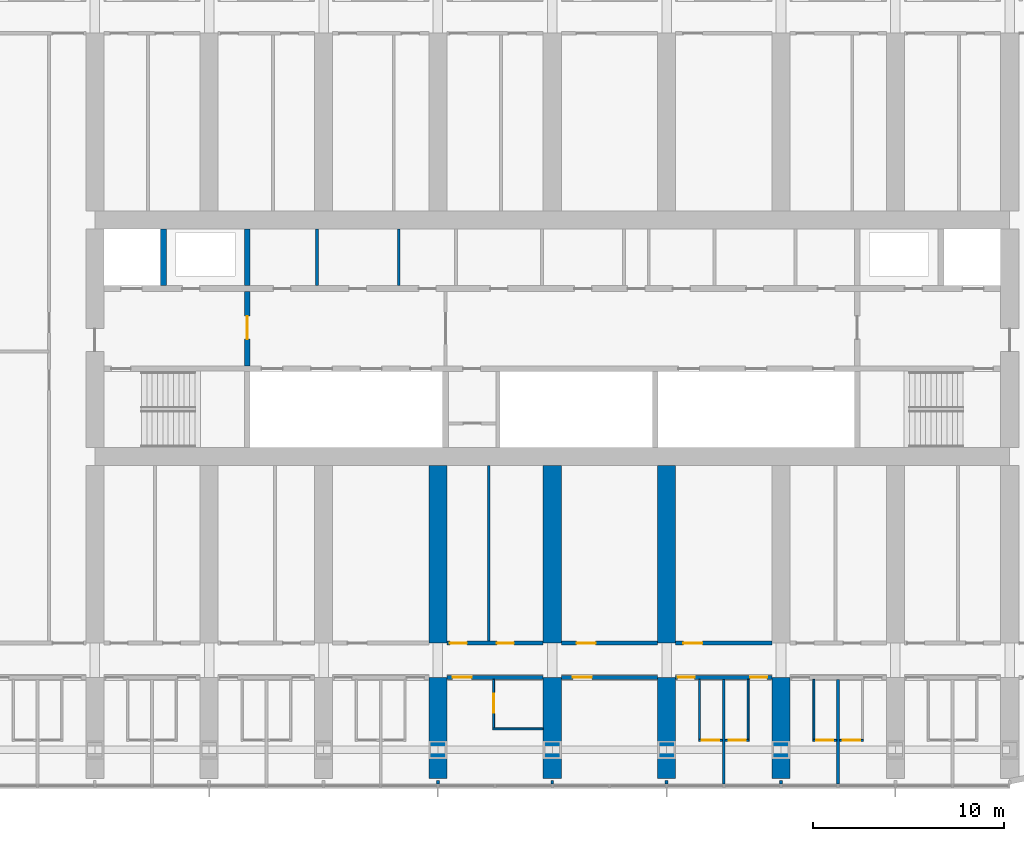
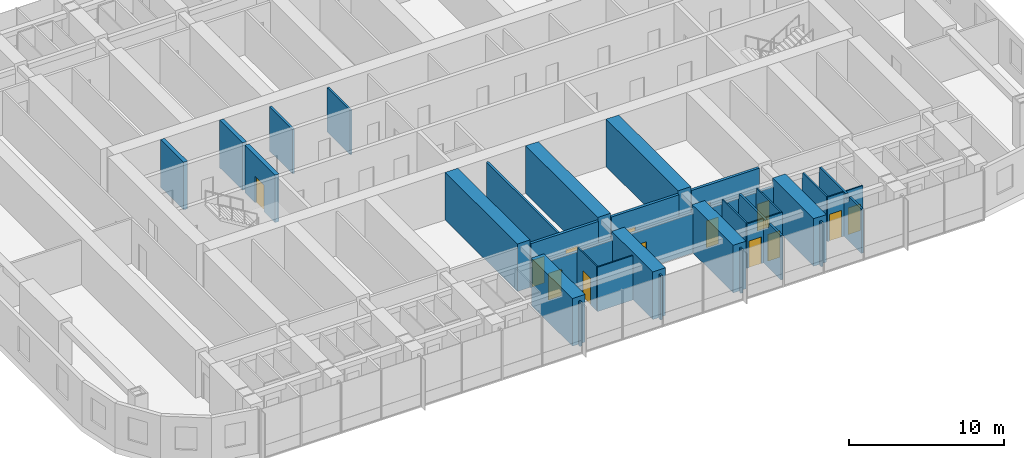
# One storey, part 12 of 26: 34 walls, 14 doors, 14 openings.
"""IFC4 building model written with IfcOpenShell, lengths in metres."""

import ifcopenshell
import ifcopenshell.guid

model = None  # the IFC model being written
_history = None  # IfcOwnerHistory: only IFC2X3 demands one
_inside = {}  # id of a spatial element -> (the spatial element, [elements in it])
_under = {}  # id of a project, library or spatial element -> (it, [spatial elements below it])
_declared = {}  # id of a project -> (the project, [libraries it declares])
_typed = {}  # id of a type object -> (the type object, [elements of that type])
_made_of = {}  # id of a material, layer set ... -> (it, [elements and type objects made of it])


def new_model(schema):
    """Start an empty IFC model of exactly this schema.

    Asked for "IFC4X3", IfcOpenShell would pick the latest addendum, in which some entities
    have other attributes; the version numbers below select the first issue.
    IFC2X3 requires an IfcOwnerHistory on every rooted entity: one is made here for all.
    """
    global model, _history
    if schema == "IFC4X3":
        model = ifcopenshell.file(schema_version=(4, 3, 0, 0))
    else:
        model = ifcopenshell.file(schema=schema)
    _inside.clear()
    _under.clear()
    _declared.clear()
    _typed.clear()
    _made_of.clear()
    _history = None
    if model.schema == "IFC2X3":
        org = make("IfcOrganization", Name="unknown")
        user = make(
            "IfcPersonAndOrganization",
            ThePerson=make("IfcPerson", FamilyName="unknown"),
            TheOrganization=org,
        )
        app = make(
            "IfcApplication",
            ApplicationDeveloper=org,
            Version="unknown",
            ApplicationFullName="unknown",
            ApplicationIdentifier="unknown",
        )
        _history = make(
            "IfcOwnerHistory",
            OwningUser=user,
            OwningApplication=app,
            ChangeAction="ADDED",
            CreationDate=0,
        )
    return model


def make(cls, **values):
    """One entity of the class cls with the attributes given. An attribute that is None is left unset."""
    return model.create_entity(
        cls, **{name: value for name, value in values.items() if value is not None}
    )


def rooted(cls, **values):
    """An entity with a GlobalId (a new one), such as an element, a storey or a relation."""
    return make(cls, GlobalId=ifcopenshell.guid.new(), OwnerHistory=_history, **values)


def si_unit(unit_type, name, prefix=None):
    """IfcSIUnit, for example si_unit("LENGTHUNIT", "METRE", prefix="MILLI")."""
    return make("IfcSIUnit", UnitType=unit_type, Prefix=prefix, Name=name)


def assignment(units):
    """IfcUnitAssignment: the units of a project."""
    return None if units is None else make("IfcUnitAssignment", Units=units)


def point(xyz):
    """IfcCartesianPoint."""
    return None if xyz is None else make("IfcCartesianPoint", Coordinates=xyz)


def direction(xyz):
    """IfcDirection."""
    return None if xyz is None else make("IfcDirection", DirectionRatios=xyz)


def frame(location, z_axis=None, x_axis=None):
    """IfcAxis2Placement3D, a coordinate frame: its origin and axes. An axis left out is left unset."""
    return make(
        "IfcAxis2Placement3D",
        Location=point(location),
        Axis=direction(z_axis),
        RefDirection=direction(x_axis),
    )


def frame_2d(location, x_axis=None):
    """IfcAxis2Placement2D, a coordinate frame in the plane: its origin and x axis."""
    return make(
        "IfcAxis2Placement2D", Location=point(location), RefDirection=direction(x_axis)
    )


def origin():
    """The frame at (0, 0, 0) with its axes left unset."""
    return frame((0.0, 0.0, 0.0))


def place(relative_to, where):
    """IfcLocalPlacement: puts the frame where relative to a parent placement (None: the world)."""
    return make(
        "IfcLocalPlacement", PlacementRelTo=relative_to, RelativePlacement=where
    )


def context(
    kind, dimensions, precision=None, world=None, true_north=None, identifier=None
):
    """IfcGeometricRepresentationContext, for example the 3D "Model" context."""
    return make(
        "IfcGeometricRepresentationContext",
        ContextIdentifier=identifier,
        ContextType=kind,
        CoordinateSpaceDimension=dimensions,
        Precision=precision,
        WorldCoordinateSystem=world,
        TrueNorth=true_north,
    )


def subcontext(parent, identifier, kind, view, scale=None):
    """IfcGeometricRepresentationSubContext, for example "Body" below "Model"."""
    return make(
        "IfcGeometricRepresentationSubContext",
        ContextIdentifier=identifier,
        ContextType=kind,
        ParentContext=parent,
        TargetScale=scale,
        TargetView=view,
    )


def project(units=None, contexts=None):
    """IfcProject with its units and contexts."""
    return rooted(
        "IfcProject",
        Name="project",
        RepresentationContexts=contexts,
        UnitsInContext=assignment(units),
    )


def spatial(cls, under=None, at=None, **own):
    """A site, building, storey or space (cls), placed at a placement, below another one or the project."""
    s = rooted(cls, ObjectPlacement=at, **own)
    if under is not None:
        _under.setdefault(under.id(), (under, []))[1].append(s)
    return s


def polyline(points):
    """IfcPolyline through the points."""
    return make("IfcPolyline", Points=[point(p) for p in points])


def profile(cls, at=None, kind="AREA", **sizes):
    """A parametric profile (cls). Its sizes go by their IFC names, for example OverallWidth=200.0."""
    return make(cls, ProfileType=kind, Position=at, **sizes)


def rectangle(**sizes):
    """IfcRectangleProfileDef."""
    return profile("IfcRectangleProfileDef", **sizes)


def outline(outer, holes=None, kind="AREA"):
    """IfcArbitraryClosedProfileDef: a profile drawn as a closed curve; with holes, ...WithVoids."""
    if holes is None:
        return make("IfcArbitraryClosedProfileDef", ProfileType=kind, OuterCurve=outer)
    return make(
        "IfcArbitraryProfileDefWithVoids",
        ProfileType=kind,
        OuterCurve=outer,
        InnerCurves=holes,
    )


def extrude(swept, where, along, depth):
    """IfcExtrudedAreaSolid: the profile swept, set in the frame where, extruded along a direction by depth."""
    return make(
        "IfcExtrudedAreaSolid",
        SweptArea=swept,
        Position=where,
        ExtrudedDirection=direction(along),
        Depth=depth,
    )


def shape(context_of_items, identifier, shape_type, items):
    """IfcShapeRepresentation: the items that make up one representation, for example the "Body"."""
    return make(
        "IfcShapeRepresentation",
        ContextOfItems=context_of_items,
        RepresentationIdentifier=identifier,
        RepresentationType=shape_type,
        Items=items,
    )


def material(Name=None, Category=None):
    """IfcMaterial."""
    return make("IfcMaterial", Name=Name, Category=Category)


def layer(
    of_material, thickness, ventilated=None, Name=None, Category=None, Priority=None
):
    """IfcMaterialLayer: one layer of a wall or slab, of a material (None: an air gap)."""
    return make(
        "IfcMaterialLayer",
        Material=of_material,
        LayerThickness=thickness,
        IsVentilated=ventilated,
        Name=Name,
        Category=Category,
        Priority=Priority,
    )


def layer_set(layers, Name=None):
    """IfcMaterialLayerSet."""
    return make("IfcMaterialLayerSet", MaterialLayers=layers, LayerSetName=Name)


def made_of(thing, what):
    """Note that an element or type object is made of a material, layer set ...; save() writes the relation."""
    if what is not None:
        _made_of.setdefault(what.id(), (what, []))[1].append(thing)
    return thing


def type_object(cls, material=None, **own):
    """A type object (cls), such as IfcWallType, which elements share."""
    return made_of(rooted(cls, **own), material)


def element(
    cls,
    number,
    at=None,
    inside=None,
    cuts=None,
    type_object=None,
    material=None,
    context=None,
    identifier="Body",
    shape_type=None,
    held_by="IfcProductDefinitionShape",
    body=None,
    shapes=None,
    **own,
):
    """One element of the class cls, such as IfcWall. Its Tag is "e" and its number.

    at: its placement. inside: the storey or other place that contains it. cuts: it is an
    opening in that element (IfcRelVoidsElement). A single representation is given by context,
    identifier, shape_type and body (its items); several are given by shapes. held_by: the class
    of the entity that holds the representations. save() writes the other relations.
    """
    e = rooted(cls, Tag="e%d" % number, ObjectPlacement=at, **own)
    if body is not None:
        shapes = [shape(context, identifier, shape_type, body)]
    if shapes is not None:
        e.Representation = make(held_by, Representations=shapes)
    if inside is not None:
        _inside.setdefault(inside.id(), (inside, []))[1].append(e)
    if cuts is not None:
        rooted(
            "IfcRelVoidsElement", RelatingBuildingElement=cuts, RelatedOpeningElement=e
        )
    if type_object is not None:
        _typed.setdefault(type_object.id(), (type_object, []))[1].append(e)
    return made_of(e, material)


def fill(opening, filler):
    """IfcRelFillsElement: the door or window that sits in an opening."""
    return rooted(
        "IfcRelFillsElement",
        RelatingOpeningElement=opening,
        RelatedBuildingElement=filler,
    )


def aggregate(whole, parts):
    """IfcRelAggregates: a whole, such as a stair, and the parts it consists of."""
    return rooted("IfcRelAggregates", RelatingObject=whole, RelatedObjects=parts)


def save(model, path):
    """Write the relations noted so far, then the file.

    IfcRelAggregates (storeys below a building ...), IfcRelContainedInSpatialStructure (elements
    in a storey), IfcRelDefinesByType, IfcRelAssociatesMaterial and IfcRelDeclares: one each for
    every whole, place, type object, material and project.
    """
    for whole, parts in _under.values():
        aggregate(whole, parts)
    for where, things in _inside.values():
        rooted(
            "IfcRelContainedInSpatialStructure",
            RelatedElements=things,
            RelatingStructure=where,
        )
    for kind, things in _typed.values():
        rooted("IfcRelDefinesByType", RelatedObjects=things, RelatingType=kind)
    for what, things in _made_of.values():
        rooted("IfcRelAssociatesMaterial", RelatedObjects=things, RelatingMaterial=what)
    for by, libraries in _declared.values():
        rooted("IfcRelDeclares", RelatingContext=by, RelatedDefinitions=libraries)
    model.write(path)


model = new_model("IFC4")

# Units and contexts
model_context = context("Model", 3, precision=1e-05, world=origin(), true_north=direction((0.0, 1.0)))
body_context = subcontext(model_context, "Body", "Model", "MODEL_VIEW")
ifc_project = project(units=[si_unit("LENGTHUNIT", "METRE"), si_unit("AREAUNIT", "SQUARE_METRE"), si_unit("VOLUMEUNIT", "CUBIC_METRE"), si_unit("PLANEANGLEUNIT", "RADIAN"), si_unit("MASSUNIT", "GRAM", prefix="KILO")], contexts=[model_context])

# Site, building, storey
site_placement = place(None, origin())
site = spatial("IfcSite", under=ifc_project, at=site_placement, CompositionType="ELEMENT")
building_placement = place(site_placement, origin())
building = spatial("IfcBuilding", under=site, at=building_placement, Name="Orbita Commons", CompositionType="ELEMENT")
storey_placement = place(building_placement, frame((0.0, 0.0, 114.39990234375)))
storey = spatial("IfcBuildingStorey", under=building, at=storey_placement, Name="L28", CompositionType="ELEMENT", Elevation=114.39990234375)

# Wall, opening, door
ifc_material_1 = material(Name="Concrete C50/60", Category="concrete")
ifc_layer_1 = layer(ifc_material_1, 0.300048828125)
ifc_layer_set_1 = layer_set([ifc_layer_1], Name="Concrete C50/60")
wall_type_1 = type_object("IfcWallType", Name="Core inner wall 300 C50/60", PredefinedType="SHEAR", material=ifc_layer_set_1)
wall_1_placement = place(storey_placement, frame((26.0, 30.550048828125, 0.0), z_axis=(0.0, 0.0, 1.0), x_axis=(0.0, 1.0, 0.0)))
wall_1 = element("IfcWall", 1, at=wall_1_placement, inside=storey, type_object=wall_type_1, Name="Firefighting lobby wall west L28", PredefinedType="SHEAR", context=body_context, shape_type="SweptSolid", body=[
    extrude(rectangle(XDim=3.89990234375, YDim=0.300048828125, at=frame_2d((1.949951171875, 0.0))), origin(), (0.0, 0.0, 1.0), 3.75),
])
opening_1_placement = place(wall_1_placement, frame((1.39990234375, 0.0, 0.0)))
opening_1 = element("IfcOpeningElement", 2, at=opening_1_placement, cuts=wall_1, Name="Opening D04", PredefinedType="OPENING", context=body_context, shape_type="SweptSolid", body=[
    extrude(rectangle(XDim=1.199951171875, YDim=2.10009765625, at=frame_2d((0.60009765625, 1.050048828125))), frame((0.0, 0.159912109375, 0.0), z_axis=(0.0, -1.0, 0.0), x_axis=(1.0, 0.0, 0.0)), (0.0, 0.0, 1.0), 0.320068359375),
])
ifc_material_2 = material(Name="Steel-faced fire door leaf", Category="steel")
door_type_1 = type_object("IfcDoorType", Name="Service door 20 min 1200x2100", OperationType="SINGLE_SWING_LEFT", PredefinedType="DOOR", material=ifc_material_2)
door_1_placement = place(opening_1_placement, origin())
door_1 = element("IfcDoor", 3, at=door_1_placement, inside=storey, type_object=door_type_1, Name="Lift lobby door west", OperationType="SINGLE_SWING_LEFT", OverallHeight=2.10009765625, OverallWidth=1.199951171875, PredefinedType="DOOR", context=body_context, shape_type="SweptSolid", body=[
    extrude(rectangle(XDim=1.199951171875, YDim=2.10009765625, at=frame_2d((0.60009765625, 1.050048828125))), frame((0.0, 0.02490234375, 0.0), z_axis=(0.0, -1.0, 0.0), x_axis=(1.0, 0.0, 0.0)), (0.0, 0.0, 1.0), 0.050048828125),
])
fill(opening_1, door_1)

# Walls
for number, where, z_axis, x_axis, name in (
    (4, (21.60009765625, 34.75, 0.0), (0.0, 0.0, 1.0), (0.0, 1.0, 0.0), "Firefighting lift FL1 shaft wall L28"),
    (5, (26.0, 34.75, 0.0), (0.0, 0.0, 1.0), (0.0, 1.0, 0.0), "Riser wall west L28"),
):
    element("IfcWall", number, at=place(storey_placement, frame(where, z_axis=z_axis, x_axis=x_axis)), inside=storey, type_object=wall_type_1, Name=name, PredefinedType="SHEAR", context=body_context, shape_type="SweptSolid", body=[
        extrude(rectangle(XDim=2.97509765625, YDim=0.300048828125, at=frame_2d((1.487548828125, 0.0))), origin(), (0.0, 0.0, 1.0), 3.75),
    ])
ifc_material_3 = material(Name="Concrete blockwork", Category="masonry")
ifc_layer_2 = layer(ifc_material_3, 0.14990234375)
ifc_layer_set_2 = layer_set([ifc_layer_2], Name="Concrete blockwork")
wall_type_2 = type_object("IfcWallType", Name="Core partition 150 blockwork", PredefinedType="SOLIDWALL", material=ifc_layer_set_2)
for number, where, z_axis, x_axis, name in (
    (6, (29.65087890625, 34.75, 0.0), (0.0, 0.0, 1.0), (0.0, 1.0, 0.0), "Core partition 150 blockwork L28"),
    (7, (33.9462890625, 34.75, 0.0), (0.0, 0.0, 1.0), (0.0, 1.0, 0.0), "Core partition 150 blockwork L28"),
):
    element("IfcWall", number, at=place(storey_placement, frame(where, z_axis=z_axis, x_axis=x_axis)), inside=storey, type_object=wall_type_2, Name=name, PredefinedType="SOLIDWALL", context=body_context, shape_type="SweptSolid", body=[
        extrude(rectangle(XDim=2.97509765625, YDim=0.14990234375, at=frame_2d((1.487548828125, 0.0))), origin(), (0.0, 0.0, 1.0), 3.5),
    ])

# Wall, opening, door
ifc_material_4 = material(Name="Concrete blockwork", Category="masonry")
ifc_layer_3 = layer(ifc_material_4, 0.199951171875)
ifc_layer_set_3 = layer_set([ifc_layer_3], Name="Concrete blockwork")
wall_type_3 = type_object("IfcWallType", Name="Corridor wall 200 blockwork", PredefinedType="SOLIDWALL", material=ifc_layer_set_3)
wall_2_placement = place(storey_placement, frame((36.47509765625, 14.199951171875, 0.0), z_axis=(0.0, 0.0, 1.0), x_axis=(1.0, 0.0, 0.0)))
wall_2 = element("IfcWall", 8, at=wall_2_placement, inside=storey, type_object=wall_type_3, Name="Corridor wall 200 blockwork L28", PredefinedType="SOLIDWALL", context=body_context, shape_type="SweptSolid", body=[
    extrude(outline(polyline([(0.0, 0.0), (5.0498046875, 0.0), (5.050048828125, 3.10009765625), (0.0, 3.10009765625), (0.0, 0.0)])), frame((0.0, 0.10009765625, 0.0), z_axis=(0.0, -1.0, 0.0), x_axis=(1.0, 0.0, 0.0)), (0.0, 0.0, 1.0), 0.199951171875),
])
opening_2_placement = place(wall_2_placement, frame((0.300048828125, 0.0, 0.0)))
opening_2 = element("IfcOpeningElement", 9, at=opening_2_placement, cuts=wall_2, Name="Opening D06", PredefinedType="OPENING", context=body_context, shape_type="SweptSolid", body=[
    extrude(rectangle(XDim=1.0, YDim=2.10009765625, at=frame_2d((0.5, 1.050048828125))), frame((0.0, 0.10986328125, 0.0), z_axis=(0.0, -1.0, 0.0), x_axis=(1.0, 0.0, 0.0)), (0.0, 0.0, 1.0), 0.219970703125),
])
ifc_material_5 = material(Name="Steel-faced fire door leaf", Category="steel")
door_type_2 = type_object("IfcDoorType", Name="Corridor door 20 min 1000x2100", OperationType="SINGLE_SWING_LEFT", PredefinedType="DOOR", material=ifc_material_5)
door_2_placement = place(opening_2_placement, origin())
door_2 = element("IfcDoor", 10, at=door_2_placement, inside=storey, type_object=door_type_2, Name="Accessible bedroom L28-S08 door", OperationType="SINGLE_SWING_LEFT", OverallHeight=2.10009765625, OverallWidth=1.0, PredefinedType="DOOR", context=body_context, shape_type="SweptSolid", body=[
    extrude(rectangle(XDim=1.0, YDim=2.10009765625, at=frame_2d((0.5, 1.050048828125))), frame((0.0, 0.02490234375, 0.0), z_axis=(0.0, -1.0, 0.0), x_axis=(1.0, 0.0, 0.0)), (0.0, 0.0, 1.0), 0.050048828125),
])
fill(opening_2, door_2)

wall_3_placement = place(storey_placement, frame((42.47509765625, 14.199951171875, 0.0), z_axis=(0.0, 0.0, 1.0), x_axis=(1.0, 0.0, 0.0)))
wall_3 = element("IfcWall", 11, at=wall_3_placement, inside=storey, type_object=wall_type_3, Name="Corridor wall 200 blockwork L28", PredefinedType="SOLIDWALL", context=body_context, shape_type="SweptSolid", body=[
    extrude(outline(polyline([(0.0, 0.0), (5.0498046875, 0.0), (5.050048828125, 3.10009765625), (0.0, 3.10009765625), (0.0, 0.0)])), frame((0.0, 0.10009765625, 0.0), z_axis=(0.0, -1.0, 0.0), x_axis=(1.0, 0.0, 0.0)), (0.0, 0.0, 1.0), 0.199951171875),
])
opening_3_placement = place(wall_3_placement, frame((0.60009765625, 0.0, 0.0)))
opening_3 = element("IfcOpeningElement", 12, at=opening_3_placement, cuts=wall_3, Name="Opening D06", PredefinedType="OPENING", context=body_context, shape_type="SweptSolid", body=[
    extrude(rectangle(XDim=1.0, YDim=2.10009765625, at=frame_2d((0.5, 1.050048828125))), frame((0.0, 0.10986328125, 0.0), z_axis=(0.0, -1.0, 0.0), x_axis=(1.0, 0.0, 0.0)), (0.0, 0.0, 1.0), 0.219970703125),
])
door_3_placement = place(opening_3_placement, origin())
door_3 = element("IfcDoor", 13, at=door_3_placement, inside=storey, type_object=door_type_2, Name="Cluster kitchen-diner L28-S10 door", OperationType="SINGLE_SWING_LEFT", OverallHeight=2.10009765625, OverallWidth=1.0, PredefinedType="DOOR", context=body_context, shape_type="SweptSolid", body=[
    extrude(rectangle(XDim=1.0, YDim=2.10009765625, at=frame_2d((0.5, 1.050048828125))), frame((0.0, 0.02490234375, 0.0), z_axis=(0.0, -1.0, 0.0), x_axis=(1.0, 0.0, 0.0)), (0.0, 0.0, 1.0), 0.050048828125),
])
fill(opening_3, door_3)

# Wall, openings, doors
wall_4_placement = place(storey_placement, frame((48.47509765625, 14.199951171875, 0.0), z_axis=(0.0, 0.0, 1.0), x_axis=(1.0, 0.0, 0.0)))
wall_4 = element("IfcWall", 14, at=wall_4_placement, inside=storey, type_object=wall_type_3, Name="Corridor wall 200 blockwork L28", PredefinedType="SOLIDWALL", context=body_context, shape_type="SweptSolid", body=[
    extrude(outline(polyline([(0.0, 0.0), (5.0498046875, 0.0), (5.050048828125, 3.10009765625), (0.0, 3.10009765625), (0.0, 0.0)])), frame((0.0, 0.10009765625, 0.0), z_axis=(0.0, -1.0, 0.0), x_axis=(1.0, 0.0, 0.0)), (0.0, 0.0, 1.0), 0.199951171875),
])
opening_4_placement = place(wall_4_placement, frame((0.10009765625, 0.0, 0.0)))
opening_4 = element("IfcOpeningElement", 15, at=opening_4_placement, cuts=wall_4, Name="Opening D11", PredefinedType="OPENING", context=body_context, shape_type="SweptSolid", body=[
    extrude(rectangle(XDim=0.89990234375, YDim=2.10009765625, at=frame_2d((0.449951171875, 1.050048828125))), frame((0.0, 0.10986328125, 0.0), z_axis=(0.0, -1.0, 0.0), x_axis=(1.0, 0.0, 0.0)), (0.0, 0.0, 1.0), 0.219970703125),
])
opening_5_placement = place(wall_4_placement, frame((3.89990234375, 0.0, 0.0)))
opening_5 = element("IfcOpeningElement", 16, at=opening_5_placement, cuts=wall_4, Name="Opening D11", PredefinedType="OPENING", context=body_context, shape_type="SweptSolid", body=[
    extrude(rectangle(XDim=0.89990234375, YDim=2.10009765625, at=frame_2d((0.449951171875, 1.050048828125))), frame((0.0, 0.10986328125, 0.0), z_axis=(0.0, -1.0, 0.0), x_axis=(1.0, 0.0, 0.0)), (0.0, 0.0, 1.0), 0.219970703125),
])
ifc_material_6 = material(Name="Steel-faced fire door leaf", Category="steel")
door_type_3 = type_object("IfcDoorType", Name="Corridor door 20 min 900x2100", OperationType="SINGLE_SWING_LEFT", PredefinedType="DOOR", material=ifc_material_6)
door_4_placement = place(opening_4_placement, origin())
door_4 = element("IfcDoor", 17, at=door_4_placement, inside=storey, type_object=door_type_3, Name="Cluster bedroom L28-S12 door", OperationType="SINGLE_SWING_LEFT", OverallHeight=2.10009765625, OverallWidth=0.89990234375, PredefinedType="DOOR", context=body_context, shape_type="SweptSolid", body=[
    extrude(rectangle(XDim=0.89990234375, YDim=2.10009765625, at=frame_2d((0.449951171875, 1.050048828125))), frame((0.0, 0.02490234375, 0.0), z_axis=(0.0, -1.0, 0.0), x_axis=(1.0, 0.0, 0.0)), (0.0, 0.0, 1.0), 0.050048828125),
])
fill(opening_4, door_4)
door_5_placement = place(opening_5_placement, origin())
door_5 = element("IfcDoor", 18, at=door_5_placement, inside=storey, type_object=door_type_3, Name="Cluster bedroom L28-S13 door", OperationType="SINGLE_SWING_LEFT", OverallHeight=2.10009765625, OverallWidth=0.89990234375, PredefinedType="DOOR", context=body_context, shape_type="SweptSolid", body=[
    extrude(rectangle(XDim=0.89990234375, YDim=2.10009765625, at=frame_2d((0.449951171875, 1.050048828125))), frame((0.0, 0.02490234375, 0.0), z_axis=(0.0, -1.0, 0.0), x_axis=(1.0, 0.0, 0.0)), (0.0, 0.0, 1.0), 0.050048828125),
])
fill(opening_5, door_5)

ifc_material_7 = material(Name="Hollow concrete block 200", Category="concrete")
ifc_layer_4 = layer(ifc_material_7, 0.199951171875)
ifc_layer_set_4 = layer_set([ifc_layer_4], Name="Hollow concrete block 200")
wall_type_4 = type_object("IfcWallType", Name="Corridor wall 200 hollow concrete block", PredefinedType="SOLIDWALL", material=ifc_layer_set_4)
wall_5_placement = place(storey_placement, frame((36.47509765625, 16.0, 0.0), z_axis=(0.0, 0.0, 1.0), x_axis=(1.0, 0.0, 0.0)))
wall_5 = element("IfcWall", 19, at=wall_5_placement, inside=storey, type_object=wall_type_4, Name="Corridor wall 200 hollow concrete block L28", PredefinedType="SOLIDWALL", context=body_context, shape_type="SweptSolid", body=[
    extrude(rectangle(XDim=5.0498046875, YDim=0.199951171875, at=frame_2d((2.52490234375, 0.0))), origin(), (0.0, 0.0, 1.0), 3.5),
])
opening_6_placement = place(wall_5_placement, frame((0.14990234375, 0.0, 0.0)))
opening_6 = element("IfcOpeningElement", 20, at=opening_6_placement, cuts=wall_5, Name="Opening D11", PredefinedType="OPENING", context=body_context, shape_type="SweptSolid", body=[
    extrude(rectangle(XDim=0.89990234375, YDim=2.10009765625, at=frame_2d((0.449951171875, 1.050048828125))), frame((0.0, 0.10986328125, 0.0), z_axis=(0.0, -1.0, 0.0), x_axis=(1.0, 0.0, 0.0)), (0.0, 0.0, 1.0), 0.219970703125),
])
opening_7_placement = place(wall_5_placement, frame((2.614990234375, 0.0, 0.0)))
opening_7 = element("IfcOpeningElement", 21, at=opening_7_placement, cuts=wall_5, Name="Opening D11", PredefinedType="OPENING", context=body_context, shape_type="SweptSolid", body=[
    extrude(rectangle(XDim=0.89990234375, YDim=2.10009765625, at=frame_2d((0.449951171875, 1.050048828125))), frame((0.0, 0.10986328125, 0.0), z_axis=(0.0, -1.0, 0.0), x_axis=(1.0, 0.0, 0.0)), (0.0, 0.0, 1.0), 0.219970703125),
])
door_6_placement = place(opening_6_placement, origin())
door_6 = element("IfcDoor", 22, at=door_6_placement, inside=storey, type_object=door_type_3, Name="Battery and UPS room L28-BDS36n door", OperationType="SINGLE_SWING_LEFT", OverallHeight=2.10009765625, OverallWidth=0.89990234375, PredefinedType="DOOR", context=body_context, shape_type="SweptSolid", body=[
    extrude(rectangle(XDim=0.89990234375, YDim=2.10009765625, at=frame_2d((0.449951171875, 1.050048828125))), frame((0.0, 0.02490234375, 0.0), z_axis=(0.0, -1.0, 0.0), x_axis=(1.0, 0.0, 0.0)), (0.0, 0.0, 1.0), 0.050048828125),
])
fill(opening_6, door_6)
door_7_placement = place(opening_7_placement, origin())
door_7 = element("IfcDoor", 23, at=door_7_placement, inside=storey, type_object=door_type_3, Name="Bicycle workshop L28-BDS36 door", OperationType="SINGLE_SWING_LEFT", OverallHeight=2.10009765625, OverallWidth=0.89990234375, PredefinedType="DOOR", context=body_context, shape_type="SweptSolid", body=[
    extrude(rectangle(XDim=0.89990234375, YDim=2.10009765625, at=frame_2d((0.449951171875, 1.050048828125))), frame((0.0, 0.02490234375, 0.0), z_axis=(0.0, -1.0, 0.0), x_axis=(1.0, 0.0, 0.0)), (0.0, 0.0, 1.0), 0.050048828125),
])
fill(opening_7, door_7)

# Wall, opening, door
wall_6_placement = place(storey_placement, frame((42.47509765625, 16.0, 0.0), z_axis=(0.0, 0.0, 1.0), x_axis=(1.0, 0.0, 0.0)))
wall_6 = element("IfcWall", 24, at=wall_6_placement, inside=storey, type_object=wall_type_4, Name="Corridor wall 200 hollow concrete block L28", PredefinedType="SOLIDWALL", context=body_context, shape_type="SweptSolid", body=[
    extrude(rectangle(XDim=5.0498046875, YDim=0.199951171875, at=frame_2d((2.52490234375, 0.0))), origin(), (0.0, 0.0, 1.0), 3.5),
])
opening_8_placement = place(wall_6_placement, frame((0.800048828125, 0.0, 0.0)))
opening_8 = element("IfcOpeningElement", 25, at=opening_8_placement, cuts=wall_6, Name="Opening D06", PredefinedType="OPENING", context=body_context, shape_type="SweptSolid", body=[
    extrude(rectangle(XDim=1.0, YDim=2.10009765625, at=frame_2d((0.5, 1.050048828125))), frame((0.0, 0.10986328125, 0.0), z_axis=(0.0, -1.0, 0.0), x_axis=(1.0, 0.0, 0.0)), (0.0, 0.0, 1.0), 0.219970703125),
])
door_8_placement = place(opening_8_placement, origin())
door_8 = element("IfcDoor", 26, at=door_8_placement, inside=storey, type_object=door_type_2, Name="Linen store L28-BDS42 door", OperationType="SINGLE_SWING_LEFT", OverallHeight=2.10009765625, OverallWidth=1.0, PredefinedType="DOOR", context=body_context, shape_type="SweptSolid", body=[
    extrude(rectangle(XDim=1.0, YDim=2.10009765625, at=frame_2d((0.5, 1.050048828125))), frame((0.0, 0.02490234375, 0.0), z_axis=(0.0, -1.0, 0.0), x_axis=(1.0, 0.0, 0.0)), (0.0, 0.0, 1.0), 0.050048828125),
])
fill(opening_8, door_8)

wall_7_placement = place(storey_placement, frame((48.47509765625, 16.0, 0.0), z_axis=(0.0, 0.0, 1.0), x_axis=(1.0, 0.0, 0.0)))
wall_7 = element("IfcWall", 27, at=wall_7_placement, inside=storey, type_object=wall_type_4, Name="Corridor wall 200 hollow concrete block L28", PredefinedType="SOLIDWALL", context=body_context, shape_type="SweptSolid", body=[
    extrude(rectangle(XDim=5.0498046875, YDim=0.199951171875, at=frame_2d((2.52490234375, 0.0))), origin(), (0.0, 0.0, 1.0), 3.5),
])
opening_9_placement = place(wall_7_placement, frame((0.39990234375, 0.0, 0.0)))
opening_9 = element("IfcOpeningElement", 28, at=opening_9_placement, cuts=wall_7, Name="Opening D06", PredefinedType="OPENING", context=body_context, shape_type="SweptSolid", body=[
    extrude(rectangle(XDim=1.0, YDim=2.10009765625, at=frame_2d((0.5, 1.050048828125))), frame((0.0, 0.10986328125, 0.0), z_axis=(0.0, -1.0, 0.0), x_axis=(1.0, 0.0, 0.0)), (0.0, 0.0, 1.0), 0.219970703125),
])
door_9_placement = place(opening_9_placement, origin())
door_9 = element("IfcDoor", 29, at=door_9_placement, inside=storey, type_object=door_type_2, Name="Pantry L28-BDS48 door", OperationType="SINGLE_SWING_LEFT", OverallHeight=2.10009765625, OverallWidth=1.0, PredefinedType="DOOR", context=body_context, shape_type="SweptSolid", body=[
    extrude(rectangle(XDim=1.0, YDim=2.10009765625, at=frame_2d((0.5, 1.050048828125))), frame((0.0, 0.02490234375, 0.0), z_axis=(0.0, -1.0, 0.0), x_axis=(1.0, 0.0, 0.0)), (0.0, 0.0, 1.0), 0.050048828125),
])
fill(opening_9, door_9)

# Walls
ifc_material_8 = material(Name="Concrete C50/60", Category="concrete")
ifc_layer_5 = layer(ifc_material_8, 0.949951171875)
ifc_layer_set_5 = layer_set([ifc_layer_5], Name="Concrete C50/60")
wall_type_5 = type_object("IfcWallType", Name="Cross wall 950 C50/60", PredefinedType="SHEAR", material=ifc_layer_set_5)
wall_8_placement = place(storey_placement, frame((36.0, 8.89990234375, 0.0), z_axis=(0.0, 0.0, 1.0), x_axis=(0.0, 1.0, 0.0)))
element("IfcWall", 30, at=wall_8_placement, inside=storey, type_object=wall_type_5, Name="Cross wall 7 south outer L28", PredefinedType="SHEAR", context=body_context, shape_type="SweptSolid", body=[
    extrude(rectangle(XDim=5.300048828125, YDim=0.949951171875, at=frame_2d((2.64990234375, 0.0))), origin(), (0.0, 0.0, 1.0), 3.75),
])
wall_9_placement = place(storey_placement, frame((36.0, 16.0, 0.0), z_axis=(0.0, 0.0, 1.0), x_axis=(0.0, 1.0, 0.0)))
element("IfcWall", 31, at=wall_9_placement, inside=storey, type_object=wall_type_5, Name="Cross wall 7 south inner L28", PredefinedType="SHEAR", context=body_context, shape_type="SweptSolid", body=[
    extrude(rectangle(XDim=9.324951171875, YDim=0.949951171875, at=frame_2d((4.66259765625, 0.0))), origin(), (0.0, 0.0, 1.0), 3.75),
])
wall_10_placement = place(storey_placement, frame((42.0, 8.89990234375, 0.0), z_axis=(0.0, 0.0, 1.0), x_axis=(0.0, 1.0, 0.0)))
element("IfcWall", 32, at=wall_10_placement, inside=storey, type_object=wall_type_5, Name="Cross wall 8 south outer L28", PredefinedType="SHEAR", context=body_context, shape_type="SweptSolid", body=[
    extrude(rectangle(XDim=5.300048828125, YDim=0.949951171875, at=frame_2d((2.64990234375, 0.0))), origin(), (0.0, 0.0, 1.0), 3.75),
])
wall_11_placement = place(storey_placement, frame((42.0, 16.0, 0.0), z_axis=(0.0, 0.0, 1.0), x_axis=(0.0, 1.0, 0.0)))
element("IfcWall", 33, at=wall_11_placement, inside=storey, type_object=wall_type_5, Name="Cross wall 8 south inner L28", PredefinedType="SHEAR", context=body_context, shape_type="SweptSolid", body=[
    extrude(rectangle(XDim=9.324951171875, YDim=0.949951171875, at=frame_2d((4.66259765625, 0.0))), origin(), (0.0, 0.0, 1.0), 3.75),
])
wall_12_placement = place(storey_placement, frame((48.0, 8.89990234375, 0.0), z_axis=(0.0, 0.0, 1.0), x_axis=(0.0, 1.0, 0.0)))
element("IfcWall", 34, at=wall_12_placement, inside=storey, type_object=wall_type_5, Name="Cross wall 9 south outer L28", PredefinedType="SHEAR", context=body_context, shape_type="SweptSolid", body=[
    extrude(rectangle(XDim=5.300048828125, YDim=0.949951171875, at=frame_2d((2.64990234375, 0.0))), origin(), (0.0, 0.0, 1.0), 3.75),
])
wall_13_placement = place(storey_placement, frame((48.0, 16.0, 0.0), z_axis=(0.0, 0.0, 1.0), x_axis=(0.0, 1.0, 0.0)))
element("IfcWall", 35, at=wall_13_placement, inside=storey, type_object=wall_type_5, Name="Cross wall 9 south inner L28", PredefinedType="SHEAR", context=body_context, shape_type="SweptSolid", body=[
    extrude(rectangle(XDim=9.324951171875, YDim=0.949951171875, at=frame_2d((4.66259765625, 0.0))), origin(), (0.0, 0.0, 1.0), 3.75),
])
wall_14_placement = place(storey_placement, frame((54.0, 8.89990234375, 0.0), z_axis=(0.0, 0.0, 1.0), x_axis=(0.0, 1.0, 0.0)))
element("IfcWall", 36, at=wall_14_placement, inside=storey, type_object=wall_type_5, Name="Cross wall 10 south outer L28", PredefinedType="SHEAR", context=body_context, shape_type="SweptSolid", body=[
    extrude(rectangle(XDim=5.300048828125, YDim=0.949951171875, at=frame_2d((2.64990234375, 0.0))), origin(), (0.0, 0.0, 1.0), 3.75),
])
ifc_material_9 = material(Name="Moisture-resistant plasterboard on steel studs", Category="steel")
ifc_layer_6 = layer(ifc_material_9, 0.10009765625)
ifc_layer_set_6 = layer_set([ifc_layer_6], Name="Moisture-resistant plasterboard on steel studs")
wall_type_6 = type_object("IfcWallType", Name="En-suite partition 100", PredefinedType="PARTITIONING", material=ifc_layer_set_6)
wall_15_placement = place(storey_placement, frame((38.875, 11.5, 0.0), z_axis=(0.0, 0.0, 1.0), x_axis=(1.0, 0.0, 0.0)))
element("IfcWall", 37, at=wall_15_placement, inside=storey, type_object=wall_type_6, Name="En-suite partition 100 L28", PredefinedType="PARTITIONING", context=body_context, shape_type="SweptSolid", body=[
    extrude(rectangle(XDim=2.64990234375, YDim=0.10009765625, at=frame_2d((1.324951171875, 0.0))), origin(), (0.0, 0.0, 1.0), 3.5),
])

# Wall, opening, door
wall_16_placement = place(storey_placement, frame((38.925048828125, 11.550048828125, 0.0), z_axis=(0.0, 0.0, 1.0), x_axis=(0.0, 1.0, 0.0)))
wall_16 = element("IfcWall", 38, at=wall_16_placement, inside=storey, type_object=wall_type_6, Name="En-suite partition 100 L28", PredefinedType="PARTITIONING", context=body_context, shape_type="SweptSolid", body=[
    extrude(outline(polyline([(0.0, 0.0), (2.550048828125, 0.0), (2.550048828125, 3.10009765625), (2.501953125, 3.10009765625), (2.5, 3.5), (0.0, 3.5), (0.0, 0.0)])), frame((0.0, 0.050048828125, 0.0), z_axis=(0.0, -1.0, 0.0), x_axis=(1.0, 0.0, 0.0)), (0.0, 0.0, 1.0), 0.10009765625),
])
opening_10_placement = place(wall_16_placement, frame((0.800048828125, 0.0, 0.0)))
opening_10 = element("IfcOpeningElement", 39, at=opening_10_placement, cuts=wall_16, Name="Opening D13", PredefinedType="OPENING", context=body_context, shape_type="SweptSolid", body=[
    extrude(rectangle(XDim=1.0, YDim=2.10009765625, at=frame_2d((0.5, 1.050048828125))), frame((0.0, 0.06005859375, 0.0), z_axis=(0.0, -1.0, 0.0), x_axis=(1.0, 0.0, 0.0)), (0.0, 0.0, 1.0), 0.1201171875),
])
ifc_material_10 = material(Name="Laminated timber door leaf", Category="wood")
door_type_4 = type_object("IfcDoorType", Name="En-suite door 1000x2100", OperationType="SINGLE_SWING_RIGHT", PredefinedType="DOOR", material=ifc_material_10)
door_10_placement = place(opening_10_placement, origin())
door_10 = element("IfcDoor", 40, at=door_10_placement, inside=storey, type_object=door_type_4, Name="Accessible shower room L28-S08 door", OperationType="SINGLE_SWING_RIGHT", OverallHeight=2.10009765625, OverallWidth=1.0, PredefinedType="DOOR", context=body_context, shape_type="SweptSolid", body=[
    extrude(rectangle(XDim=1.0, YDim=2.10009765625, at=frame_2d((0.5, 1.050048828125))), frame((0.0, 0.02490234375, 0.0), z_axis=(0.0, -1.0, 0.0), x_axis=(1.0, 0.0, 0.0)), (0.0, 0.0, 1.0), 0.050048828125),
])
fill(opening_10, door_10)

wall_17_placement = place(storey_placement, frame((50.925048828125, 10.89990234375, 0.0), z_axis=(0.0, 0.0, 1.0), x_axis=(-1.0, 0.0, 0.0)))
wall_17 = element("IfcWall", 41, at=wall_17_placement, inside=storey, type_object=wall_type_6, Name="En-suite partition 100 L28", PredefinedType="PARTITIONING", context=body_context, shape_type="SweptSolid", body=[
    extrude(rectangle(XDim=1.25, YDim=0.10009765625, at=frame_2d((0.625, 0.0))), origin(), (0.0, 0.0, 1.0), 3.5),
])
opening_11_placement = place(wall_17_placement, frame((0.175048828125, 0.0, 0.0)))
opening_11 = element("IfcOpeningElement", 42, at=opening_11_placement, cuts=wall_17, Name="Opening D09", PredefinedType="OPENING", context=body_context, shape_type="SweptSolid", body=[
    extrude(rectangle(XDim=0.89990234375, YDim=2.10009765625, at=frame_2d((0.449951171875, 1.050048828125))), frame((0.0, 0.06005859375, 0.0), z_axis=(0.0, -1.0, 0.0), x_axis=(1.0, 0.0, 0.0)), (0.0, 0.0, 1.0), 0.1201171875),
])
ifc_material_11 = material(Name="Laminated timber door leaf", Category="wood")
door_type_5 = type_object("IfcDoorType", Name="En-suite door 900x2100", OperationType="SINGLE_SWING_RIGHT", PredefinedType="DOOR", material=ifc_material_11)
door_11_placement = place(opening_11_placement, origin())
door_11 = element("IfcDoor", 43, at=door_11_placement, inside=storey, type_object=door_type_5, Name="En-suite L28-S12 door", OperationType="SINGLE_SWING_RIGHT", OverallHeight=2.10009765625, OverallWidth=0.89990234375, PredefinedType="DOOR", context=body_context, shape_type="SweptSolid", body=[
    extrude(rectangle(XDim=0.89990234375, YDim=2.10009765625, at=frame_2d((0.449951171875, 1.050048828125))), frame((0.0, 0.02490234375, 0.0), z_axis=(0.0, -1.0, 0.0), x_axis=(1.0, 0.0, 0.0)), (0.0, 0.0, 1.0), 0.050048828125),
])
fill(opening_11, door_11)

# Wall
wall_18_placement = place(storey_placement, frame((49.72509765625, 10.949951171875, 0.0), z_axis=(0.0, 0.0, 1.0), x_axis=(0.0, 1.0, 0.0)))
element("IfcWall", 44, at=wall_18_placement, inside=storey, type_object=wall_type_6, Name="En-suite partition 100 L28", PredefinedType="PARTITIONING", context=body_context, shape_type="SweptSolid", body=[
    extrude(outline(polyline([(0.0, 0.0), (3.150146484375, 0.0), (3.14990234375, 3.10009765625), (3.10205078125, 3.10009765625), (3.10009765625, 3.5), (0.0, 3.5), (0.0, 0.0)])), frame((0.0, 0.050048828125, 0.0), z_axis=(0.0, -1.0, 0.0), x_axis=(1.0, 0.0, 0.0)), (0.0, 0.0, 1.0), 0.10009765625),
])

# Wall, opening, door
wall_19_placement = place(storey_placement, frame((52.324951171875, 10.89990234375, 0.0), z_axis=(0.0, 0.0, 1.0), x_axis=(-1.0, 0.0, 0.0)))
wall_19 = element("IfcWall", 45, at=wall_19_placement, inside=storey, type_object=wall_type_6, Name="En-suite partition 100 L28", PredefinedType="PARTITIONING", context=body_context, shape_type="SweptSolid", body=[
    extrude(rectangle(XDim=1.25, YDim=0.10009765625, at=frame_2d((0.625, 0.0))), origin(), (0.0, 0.0, 1.0), 3.5),
])
opening_12_placement = place(wall_19_placement, frame((0.175048828125, 0.0, 0.0)))
opening_12 = element("IfcOpeningElement", 46, at=opening_12_placement, cuts=wall_19, Name="Opening D09", PredefinedType="OPENING", context=body_context, shape_type="SweptSolid", body=[
    extrude(rectangle(XDim=0.89990234375, YDim=2.10009765625, at=frame_2d((0.449951171875, 1.050048828125))), frame((0.0, 0.06005859375, 0.0), z_axis=(0.0, -1.0, 0.0), x_axis=(1.0, 0.0, 0.0)), (0.0, 0.0, 1.0), 0.1201171875),
])
door_12_placement = place(opening_12_placement, origin())
door_12 = element("IfcDoor", 47, at=door_12_placement, inside=storey, type_object=door_type_5, Name="En-suite L28-S13 door", OperationType="SINGLE_SWING_RIGHT", OverallHeight=2.10009765625, OverallWidth=0.89990234375, PredefinedType="DOOR", context=body_context, shape_type="SweptSolid", body=[
    extrude(rectangle(XDim=0.89990234375, YDim=2.10009765625, at=frame_2d((0.449951171875, 1.050048828125))), frame((0.0, 0.02490234375, 0.0), z_axis=(0.0, -1.0, 0.0), x_axis=(1.0, 0.0, 0.0)), (0.0, 0.0, 1.0), 0.050048828125),
])
fill(opening_12, door_12)

# Wall
wall_20_placement = place(storey_placement, frame((52.27490234375, 10.949951171875, 0.0), z_axis=(0.0, 0.0, 1.0), x_axis=(0.0, 1.0, 0.0)))
element("IfcWall", 48, at=wall_20_placement, inside=storey, type_object=wall_type_6, Name="En-suite partition 100 L28", PredefinedType="PARTITIONING", context=body_context, shape_type="SweptSolid", body=[
    extrude(outline(polyline([(0.0, 0.0), (3.150146484375, 0.0), (3.14990234375, 3.10009765625), (3.10205078125, 3.10009765625), (3.10009765625, 3.5), (0.0, 3.5), (0.0, 0.0)])), frame((0.0, 0.050048828125, 0.0), z_axis=(0.0, -1.0, 0.0), x_axis=(1.0, 0.0, 0.0)), (0.0, 0.0, 1.0), 0.10009765625),
])

# Wall, opening, door
wall_21_placement = place(storey_placement, frame((56.925048828125, 10.89990234375, 0.0), z_axis=(0.0, 0.0, 1.0), x_axis=(-1.0, 0.0, 0.0)))
wall_21 = element("IfcWall", 49, at=wall_21_placement, inside=storey, type_object=wall_type_6, Name="En-suite partition 100 L28", PredefinedType="PARTITIONING", context=body_context, shape_type="SweptSolid", body=[
    extrude(rectangle(XDim=1.25, YDim=0.10009765625, at=frame_2d((0.625, 0.0))), origin(), (0.0, 0.0, 1.0), 3.5),
])
opening_13_placement = place(wall_21_placement, frame((0.175048828125, 0.0, 0.0)))
opening_13 = element("IfcOpeningElement", 50, at=opening_13_placement, cuts=wall_21, Name="Opening D09", PredefinedType="OPENING", context=body_context, shape_type="SweptSolid", body=[
    extrude(rectangle(XDim=0.89990234375, YDim=2.10009765625, at=frame_2d((0.449951171875, 1.050048828125))), frame((0.0, 0.06005859375, 0.0), z_axis=(0.0, -1.0, 0.0), x_axis=(1.0, 0.0, 0.0)), (0.0, 0.0, 1.0), 0.1201171875),
])
door_13_placement = place(opening_13_placement, origin())
door_13 = element("IfcDoor", 51, at=door_13_placement, inside=storey, type_object=door_type_5, Name="En-suite L28-S14 door", OperationType="SINGLE_SWING_RIGHT", OverallHeight=2.10009765625, OverallWidth=0.89990234375, PredefinedType="DOOR", context=body_context, shape_type="SweptSolid", body=[
    extrude(rectangle(XDim=0.89990234375, YDim=2.10009765625, at=frame_2d((0.449951171875, 1.050048828125))), frame((0.0, 0.02490234375, 0.0), z_axis=(0.0, -1.0, 0.0), x_axis=(1.0, 0.0, 0.0)), (0.0, 0.0, 1.0), 0.050048828125),
])
fill(opening_13, door_13)

# Wall
wall_22_placement = place(storey_placement, frame((55.72509765625, 10.949951171875, 0.0), z_axis=(0.0, 0.0, 1.0), x_axis=(0.0, 1.0, 0.0)))
element("IfcWall", 52, at=wall_22_placement, inside=storey, type_object=wall_type_6, Name="En-suite partition 100 L28", PredefinedType="PARTITIONING", context=body_context, shape_type="SweptSolid", body=[
    extrude(outline(polyline([(0.0, 0.0), (3.150146484375, 0.0), (3.14990234375, 3.10009765625), (3.10205078125, 3.10009765625), (3.10009765625, 3.5), (0.0, 3.5), (0.0, 0.0)])), frame((0.0, 0.050048828125, 0.0), z_axis=(0.0, -1.0, 0.0), x_axis=(1.0, 0.0, 0.0)), (0.0, 0.0, 1.0), 0.10009765625),
])

# Wall, opening, door
wall_23_placement = place(storey_placement, frame((58.324951171875, 10.89990234375, 0.0), z_axis=(0.0, 0.0, 1.0), x_axis=(-1.0, 0.0, 0.0)))
wall_23 = element("IfcWall", 53, at=wall_23_placement, inside=storey, type_object=wall_type_6, Name="En-suite partition 100 L28", PredefinedType="PARTITIONING", context=body_context, shape_type="SweptSolid", body=[
    extrude(rectangle(XDim=1.25, YDim=0.10009765625, at=frame_2d((0.625, 0.0))), origin(), (0.0, 0.0, 1.0), 3.5),
])
opening_14_placement = place(wall_23_placement, frame((0.175048828125, 0.0, 0.0)))
opening_14 = element("IfcOpeningElement", 54, at=opening_14_placement, cuts=wall_23, Name="Opening D09", PredefinedType="OPENING", context=body_context, shape_type="SweptSolid", body=[
    extrude(rectangle(XDim=0.89990234375, YDim=2.10009765625, at=frame_2d((0.449951171875, 1.050048828125))), frame((0.0, 0.06005859375, 0.0), z_axis=(0.0, -1.0, 0.0), x_axis=(1.0, 0.0, 0.0)), (0.0, 0.0, 1.0), 0.1201171875),
])
door_14_placement = place(opening_14_placement, origin())
door_14 = element("IfcDoor", 55, at=door_14_placement, inside=storey, type_object=door_type_5, Name="En-suite L28-S15 door", OperationType="SINGLE_SWING_RIGHT", OverallHeight=2.10009765625, OverallWidth=0.89990234375, PredefinedType="DOOR", context=body_context, shape_type="SweptSolid", body=[
    extrude(rectangle(XDim=0.89990234375, YDim=2.10009765625, at=frame_2d((0.449951171875, 1.050048828125))), frame((0.0, 0.02490234375, 0.0), z_axis=(0.0, -1.0, 0.0), x_axis=(1.0, 0.0, 0.0)), (0.0, 0.0, 1.0), 0.050048828125),
])
fill(opening_14, door_14)

# Walls
ifc_material_12 = material(Name="Gypsum plasterboard on steel studs", Category="steel")
ifc_layer_7 = layer(ifc_material_12, 0.14990234375)
ifc_layer_set_7 = layer_set([ifc_layer_7], Name="Gypsum plasterboard on steel studs")
wall_type_7 = type_object("IfcWallType", Name="Partition 150 plasterboard", PredefinedType="PARTITIONING", material=ifc_layer_set_7)
wall_24_placement = place(storey_placement, frame((38.6650390625, 16.10009765625, 0.0), z_axis=(0.0, 0.0, 1.0), x_axis=(0.0, 1.0, 0.0)))
element("IfcWall", 56, at=wall_24_placement, inside=storey, type_object=wall_type_7, Name="Partition 150 plasterboard L28", PredefinedType="PARTITIONING", context=body_context, shape_type="SweptSolid", body=[
    extrude(rectangle(XDim=9.224853515625, YDim=0.14990234375, at=frame_2d((4.6123046875, 0.0))), origin(), (0.0, 0.0, 1.0), 3.5),
])
for number, where, z_axis, x_axis, name in (
    (57, (36.0, 8.800048828125, 0.0), (0.0, 0.0, 1.0), (0.0, -1.0, 0.0), "Partition 150 plasterboard L28"),
    (58, (42.0, 8.800048828125, 0.0), (0.0, 0.0, 1.0), (0.0, -1.0, 0.0), "Partition 150 plasterboard L28"),
    (59, (48.0, 8.800048828125, 0.0), (0.0, 0.0, 1.0), (0.0, -1.0, 0.0), "Partition 150 plasterboard L28"),
    (60, (54.0, 8.800048828125, 0.0), (0.0, 0.0, 1.0), (0.0, -1.0, 0.0), "Partition 150 plasterboard L28"),
):
    element("IfcWall", number, at=place(storey_placement, frame(where, z_axis=z_axis, x_axis=x_axis)), inside=storey, type_object=wall_type_7, Name=name, PredefinedType="PARTITIONING", context=body_context, shape_type="SweptSolid", body=[
        extrude(rectangle(XDim=0.18994140625, YDim=0.14990234375, at=frame_2d((0.094970703125, 0.0))), origin(), (0.0, 0.0, 1.0), 3.5),
    ])
ifc_material_13 = material(Name="Gypsum plasterboard on steel studs", Category="steel")
ifc_layer_8 = layer(ifc_material_13, 0.14990234375)
ifc_layer_set_8 = layer_set([ifc_layer_8], Name="Gypsum plasterboard on steel studs")
wall_type_8 = type_object("IfcWallType", Name="Party wall 150 plasterboard", PredefinedType="PARTITIONING", material=ifc_layer_set_8)
for number, where, z_axis, x_axis, name in (
    (61, (51.0, 8.610107421875, 0.0), (0.0, 0.0, 1.0), (0.0, 1.0, 0.0), "Party wall 150 plasterboard L28"),
    (62, (57.0, 8.610107421875, 0.0), (0.0, 0.0, 1.0), (0.0, 1.0, 0.0), "Party wall 150 plasterboard L28"),
):
    element("IfcWall", number, at=place(storey_placement, frame(where, z_axis=z_axis, x_axis=x_axis)), inside=storey, type_object=wall_type_8, Name=name, PredefinedType="PARTITIONING", context=body_context, shape_type="SweptSolid", body=[
        extrude(outline(polyline([(0.0, 0.0), (5.489990234375, 0.0), (5.489990234375, 3.10009765625), (5.44189453125, 3.10009765625), (5.43994140625, 3.5), (1.991943359375, 3.5), (1.989990234375, 3.10009765625), (1.592041015625, 3.10009765625), (1.590087890625, 3.5), (0.0, 3.5), (0.0, 0.0)])), frame((0.0, 0.074951171875, 0.0), z_axis=(0.0, -1.0, 0.0), x_axis=(1.0, 0.0, 0.0)), (0.0, 0.0, 1.0), 0.14990234375),
    ])

save(model, "model.ifc")
